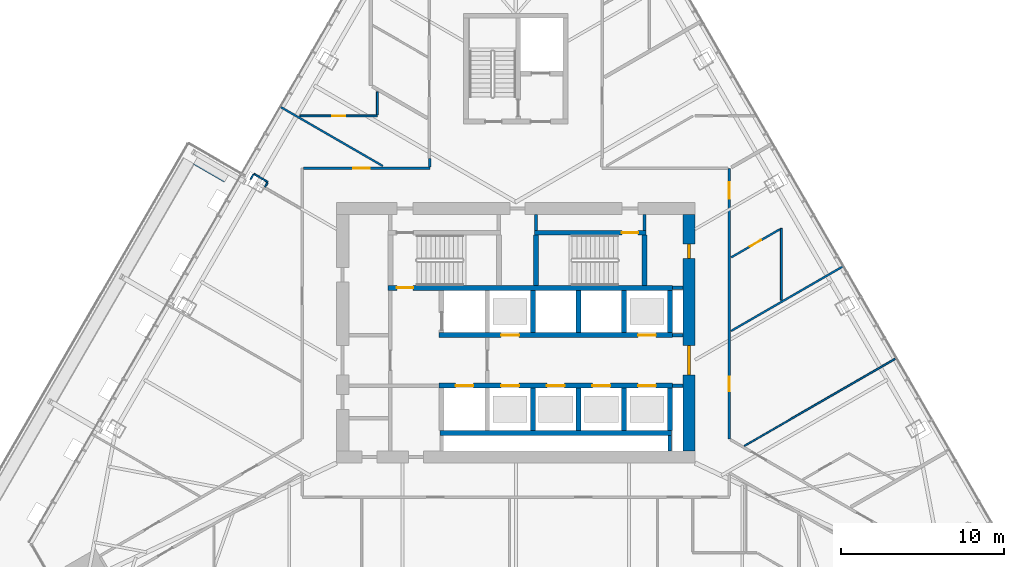
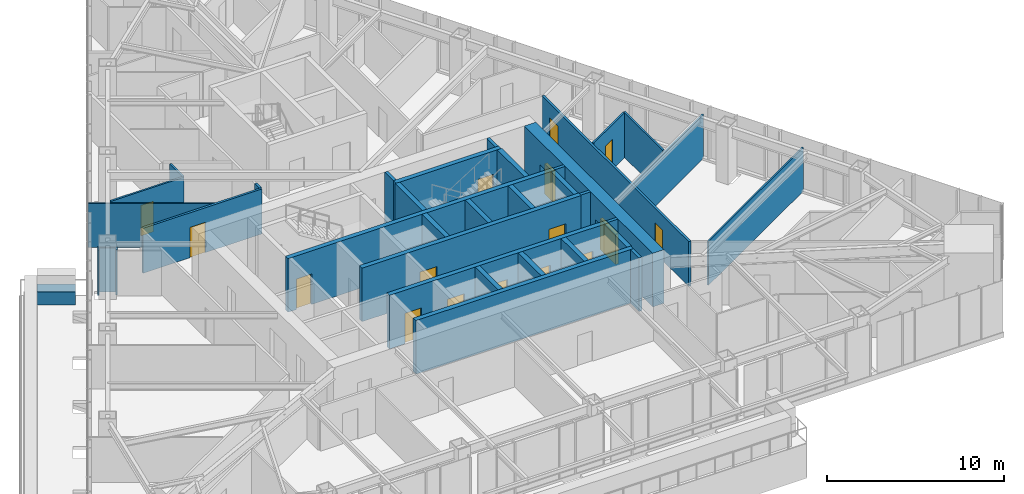
# One storey, part 17 of 23: 36 walls, 16 doors, 16 openings.
"""IFC4 building model written with IfcOpenShell, lengths in metres."""

from ifc_helpers import new_model, si_unit, direction, frame, frame_2d, origin, place, context, subcontext, project, spatial, rectangle, extrude, material, layer, layer_set, type_object, element, fill, save


model = new_model("IFC4")

# Units and contexts
model_context = context("Model", 3, precision=1e-05, world=origin(), true_north=direction((0.0, 1.0)))
body_context = subcontext(model_context, "Body", "Model", "MODEL_VIEW")
ifc_project = project(units=[si_unit("LENGTHUNIT", "METRE"), si_unit("AREAUNIT", "SQUARE_METRE"), si_unit("VOLUMEUNIT", "CUBIC_METRE"), si_unit("PLANEANGLEUNIT", "RADIAN"), si_unit("MASSUNIT", "GRAM", prefix="KILO")], contexts=[model_context])

# Site, building, storey
site_placement = place(None, origin())
site = spatial("IfcSite", under=ifc_project, at=site_placement, CompositionType="ELEMENT")
building_placement = place(site_placement, origin())
building = spatial("IfcBuilding", under=site, at=building_placement, Name="Firuza Gate Tower and Library", CompositionType="ELEMENT")
storey_placement = place(building_placement, frame((0.0, 0.0, 190.89990234375)))
storey = spatial("IfcBuildingStorey", under=building, at=storey_placement, Name="L44", CompositionType="ELEMENT", Elevation=190.89990234375)

# Walls
ifc_material_1 = material(Name="Plasterboard on steel studs", Category="steel")
ifc_layer_1 = layer(ifc_material_1, 0.199951171875)
ifc_layer_set_1 = layer_set([ifc_layer_1], Name="Core partition 200 EI 120")
wall_type_1 = type_object("IfcWallType", Name="Core partition 200 EI 120", PredefinedType="PARTITIONING", material=ifc_layer_set_1)
for number, where, z_axis, x_axis, name in (
    (1, (84.60009765625, 71.75, 0.0), (0.0, 0.0, 1.0), (1.0, 0.0, 0.0), "Core partition L44 3"),
    (2, (84.60009765625, 74.85009765625, 0.0), (0.0, 0.0, 1.0), (1.0, 0.0, 0.0), "Core partition L44 5"),
    (3, (84.60009765625, 77.75, 0.0), (0.0, 0.0, 1.0), (1.0, 0.0, 0.0), "Core partition L44 6"),
):
    element("IfcWall", number, at=place(storey_placement, frame(where, z_axis=z_axis, x_axis=x_axis)), inside=storey, type_object=wall_type_1, Name=name, PredefinedType="PARTITIONING", context=body_context, shape_type="SweptSolid", body=[
        extrude(rectangle(XDim=0.64990234375, YDim=0.199951171875, at=frame_2d((0.324951171875, 0.0))), origin(), (0.0, 0.0, 1.0), 3.7001953125),
    ])
wall_1_placement = place(storey_placement, frame((84.449951171875, 67.75, 0.0), z_axis=(0.0, 0.0, 1.0), x_axis=(0.0, 1.0, 0.0)))
element("IfcWall", 4, at=wall_1_placement, inside=storey, type_object=wall_type_1, Name="Core partition L44 15", PredefinedType="PARTITIONING", context=body_context, shape_type="SweptSolid", body=[
    extrude(rectangle(XDim=0.949951171875, YDim=0.199951171875, at=frame_2d((0.47509765625, 0.0))), origin(), (0.0, 0.0, 1.0), 3.7001953125),
])
ifc_material_2 = material(Name="Plasterboard on steel studs", Category="steel")
ifc_layer_2 = layer(ifc_material_2, 0.199951171875)
ifc_layer_set_2 = layer_set([ifc_layer_2], Name="Core partition 200 EI 60")
wall_type_2 = type_object("IfcWallType", Name="Core partition 200 EI 60", PredefinedType="PARTITIONING", material=ifc_layer_set_2)
for number, where, z_axis, x_axis, name in (
    (5, (76.239990234375, 81.280029296875, 0.0), (0.0, 0.0, 1.0), (0.0, 1.0, 0.0), "Core partition L44 13"),
    (6, (82.89990234375, 81.280029296875, 0.0), (0.0, 0.0, 1.0), (0.0, 1.0, 0.0), "Core partition L44 14"),
):
    element("IfcWall", number, at=place(storey_placement, frame(where, z_axis=z_axis, x_axis=x_axis)), inside=storey, type_object=wall_type_2, Name=name, PredefinedType="PARTITIONING", context=body_context, shape_type="SweptSolid", body=[
        extrude(rectangle(XDim=0.969970703125, YDim=0.199951171875, at=frame_2d((0.48486328125, 0.0))), origin(), (0.0, 0.0, 1.0), 3.7001953125),
    ])
ifc_material_3 = material(Name="Concrete C80/95", Category="concrete")
ifc_layer_3 = layer(ifc_material_3, 0.300048828125)
ifc_layer_set_3 = layer_set([ifc_layer_3], Name="Core wall 300 C80/95")
wall_type_3 = type_object("IfcWallType", Name="Core wall 300 C80/95", PredefinedType="SHEAR", material=ifc_layer_set_3)
wall_2_placement = place(storey_placement, frame((70.35009765625, 68.85009765625, 0.0), z_axis=(0.0, 0.0, 1.0), x_axis=(1.0, 0.0, 0.0)))
element("IfcWall", 7, at=wall_2_placement, inside=storey, type_object=wall_type_3, Name="Core wall L44 5", PredefinedType="SHEAR", context=body_context, shape_type="SweptSolid", body=[
    extrude(rectangle(XDim=14.199951171875, YDim=0.300048828125, at=frame_2d((7.10009765625, 0.0))), origin(), (0.0, 0.0, 1.0), 3.7001953125),
])

# Wall, openings, doors
wall_3_placement = place(storey_placement, frame((70.300048828125, 71.75, 0.0), z_axis=(0.0, 0.0, 1.0), x_axis=(1.0, 0.0, 0.0)))
wall_3 = element("IfcWall", 8, at=wall_3_placement, inside=storey, type_object=wall_type_3, Name="Core wall L44 6", PredefinedType="SHEAR", context=body_context, shape_type="SweptSolid", body=[
    extrude(rectangle(XDim=14.300048828125, YDim=0.300048828125, at=frame_2d((7.14990234375, 0.0))), origin(), (0.0, 0.0, 1.0), 3.7001953125),
])
opening_1_placement = place(wall_3_placement, frame((1.0, 0.0, 0.0)))
opening_1 = element("IfcOpeningElement", 9, at=opening_1_placement, cuts=wall_3, Name="Opening LD-FF1-L44", PredefinedType="OPENING", context=body_context, shape_type="SweptSolid", body=[
    extrude(rectangle(XDim=1.10009765625, YDim=2.10009765625, at=frame_2d((0.550048828125, 1.050048828125))), frame((0.0, 0.16015625, 0.0), z_axis=(0.0, -1.0, 0.0), x_axis=(1.0, 0.0, 0.0)), (0.0, 0.0, 1.0), 0.320068359375),
])
opening_2_placement = place(wall_3_placement, frame((3.800048828125, 0.0, 0.0)))
opening_2 = element("IfcOpeningElement", 10, at=opening_2_placement, cuts=wall_3, Name="Opening LD-MR1-L44", PredefinedType="OPENING", context=body_context, shape_type="SweptSolid", body=[
    extrude(rectangle(XDim=1.10009765625, YDim=2.10009765625, at=frame_2d((0.550048828125, 1.050048828125))), frame((0.0, 0.16015625, 0.0), z_axis=(0.0, -1.0, 0.0), x_axis=(1.0, 0.0, 0.0)), (0.0, 0.0, 1.0), 0.320068359375),
])
opening_3_placement = place(wall_3_placement, frame((6.60009765625, 0.0, 0.0)))
opening_3 = element("IfcOpeningElement", 11, at=opening_3_placement, cuts=wall_3, Name="Opening LD-MR2-L44", PredefinedType="OPENING", context=body_context, shape_type="SweptSolid", body=[
    extrude(rectangle(XDim=1.10009765625, YDim=2.10009765625, at=frame_2d((0.550048828125, 1.050048828125))), frame((0.0, 0.16015625, 0.0), z_axis=(0.0, -1.0, 0.0), x_axis=(1.0, 0.0, 0.0)), (0.0, 0.0, 1.0), 0.320068359375),
])
opening_4_placement = place(wall_3_placement, frame((9.39990234375, 0.0, 0.0)))
opening_4 = element("IfcOpeningElement", 12, at=opening_4_placement, cuts=wall_3, Name="Opening LD-MR3-L44", PredefinedType="OPENING", context=body_context, shape_type="SweptSolid", body=[
    extrude(rectangle(XDim=1.10009765625, YDim=2.10009765625, at=frame_2d((0.550048828125, 1.050048828125))), frame((0.0, 0.16015625, 0.0), z_axis=(0.0, -1.0, 0.0), x_axis=(1.0, 0.0, 0.0)), (0.0, 0.0, 1.0), 0.320068359375),
])
opening_5_placement = place(wall_3_placement, frame((12.199951171875, 0.0, 0.0)))
opening_5 = element("IfcOpeningElement", 13, at=opening_5_placement, cuts=wall_3, Name="Opening LD-MR5-L44", PredefinedType="OPENING", context=body_context, shape_type="SweptSolid", body=[
    extrude(rectangle(XDim=1.10009765625, YDim=2.10009765625, at=frame_2d((0.550048828125, 1.050048828125))), frame((0.0, 0.16015625, 0.0), z_axis=(0.0, -1.0, 0.0), x_axis=(1.0, 0.0, 0.0)), (0.0, 0.0, 1.0), 0.320068359375),
])
ifc_material_4 = material(Name="Stainless steel", Category="steel")
door_type_1 = type_object("IfcDoorType", Name="Lift landing door 1100x2100", OperationType="DOUBLE_DOOR_SLIDING", PredefinedType="DOOR", material=ifc_material_4)
door_1_placement = place(opening_1_placement, origin())
door_1 = element("IfcDoor", 14, at=door_1_placement, inside=storey, type_object=door_type_1, Name="Landing door FF1 L44", OperationType="DOUBLE_DOOR_SLIDING", OverallHeight=2.10009765625, OverallWidth=1.10009765625, PredefinedType="DOOR", context=body_context, shape_type="SweptSolid", body=[
    extrude(rectangle(XDim=1.10009765625, YDim=2.10009765625, at=frame_2d((0.550048828125, 1.050048828125))), frame((0.0, 0.02490234375, 0.0), z_axis=(0.0, -1.0, 0.0), x_axis=(1.0, 0.0, 0.0)), (0.0, 0.0, 1.0), 0.050048828125),
])
fill(opening_1, door_1)
door_2_placement = place(opening_2_placement, origin())
door_2 = element("IfcDoor", 15, at=door_2_placement, inside=storey, type_object=door_type_1, Name="Landing door MR1 L44", OperationType="DOUBLE_DOOR_SLIDING", OverallHeight=2.10009765625, OverallWidth=1.10009765625, PredefinedType="DOOR", context=body_context, shape_type="SweptSolid", body=[
    extrude(rectangle(XDim=1.10009765625, YDim=2.10009765625, at=frame_2d((0.550048828125, 1.050048828125))), frame((0.0, 0.02490234375, 0.0), z_axis=(0.0, -1.0, 0.0), x_axis=(1.0, 0.0, 0.0)), (0.0, 0.0, 1.0), 0.050048828125),
])
fill(opening_2, door_2)
door_3_placement = place(opening_3_placement, origin())
door_3 = element("IfcDoor", 16, at=door_3_placement, inside=storey, type_object=door_type_1, Name="Landing door MR2 L44", OperationType="DOUBLE_DOOR_SLIDING", OverallHeight=2.10009765625, OverallWidth=1.10009765625, PredefinedType="DOOR", context=body_context, shape_type="SweptSolid", body=[
    extrude(rectangle(XDim=1.10009765625, YDim=2.10009765625, at=frame_2d((0.550048828125, 1.050048828125))), frame((0.0, 0.02490234375, 0.0), z_axis=(0.0, -1.0, 0.0), x_axis=(1.0, 0.0, 0.0)), (0.0, 0.0, 1.0), 0.050048828125),
])
fill(opening_3, door_3)
door_4_placement = place(opening_4_placement, origin())
door_4 = element("IfcDoor", 17, at=door_4_placement, inside=storey, type_object=door_type_1, Name="Landing door MR3 L44", OperationType="DOUBLE_DOOR_SLIDING", OverallHeight=2.10009765625, OverallWidth=1.10009765625, PredefinedType="DOOR", context=body_context, shape_type="SweptSolid", body=[
    extrude(rectangle(XDim=1.10009765625, YDim=2.10009765625, at=frame_2d((0.550048828125, 1.050048828125))), frame((0.0, 0.02490234375, 0.0), z_axis=(0.0, -1.0, 0.0), x_axis=(1.0, 0.0, 0.0)), (0.0, 0.0, 1.0), 0.050048828125),
])
fill(opening_4, door_4)
door_5_placement = place(opening_5_placement, origin())
door_5 = element("IfcDoor", 18, at=door_5_placement, inside=storey, type_object=door_type_1, Name="Landing door MR5 L44", OperationType="DOUBLE_DOOR_SLIDING", OverallHeight=2.10009765625, OverallWidth=1.10009765625, PredefinedType="DOOR", context=body_context, shape_type="SweptSolid", body=[
    extrude(rectangle(XDim=1.10009765625, YDim=2.10009765625, at=frame_2d((0.550048828125, 1.050048828125))), frame((0.0, 0.02490234375, 0.0), z_axis=(0.0, -1.0, 0.0), x_axis=(1.0, 0.0, 0.0)), (0.0, 0.0, 1.0), 0.050048828125),
])
fill(opening_5, door_5)

wall_4_placement = place(storey_placement, frame((70.300048828125, 74.85009765625, 0.0), z_axis=(0.0, 0.0, 1.0), x_axis=(1.0, 0.0, 0.0)))
wall_4 = element("IfcWall", 19, at=wall_4_placement, inside=storey, type_object=wall_type_3, Name="Core wall L44 7", PredefinedType="SHEAR", context=body_context, shape_type="SweptSolid", body=[
    extrude(rectangle(XDim=14.300048828125, YDim=0.300048828125, at=frame_2d((7.14990234375, 0.0))), origin(), (0.0, 0.0, 1.0), 3.7001953125),
])
opening_6_placement = place(wall_4_placement, frame((3.800048828125, 0.0, 0.0)))
opening_6 = element("IfcOpeningElement", 20, at=opening_6_placement, cuts=wall_4, Name="Opening LD-MR4-L44", PredefinedType="OPENING", context=body_context, shape_type="SweptSolid", body=[
    extrude(rectangle(XDim=1.10009765625, YDim=2.10009765625, at=frame_2d((0.550048828125, 1.050048828125))), frame((0.0, 0.16015625, 0.0), z_axis=(0.0, -1.0, 0.0), x_axis=(1.0, 0.0, 0.0)), (0.0, 0.0, 1.0), 0.320068359375),
])
opening_7_placement = place(wall_4_placement, frame((12.199951171875, 0.0, 0.0)))
opening_7 = element("IfcOpeningElement", 21, at=opening_7_placement, cuts=wall_4, Name="Opening LD-MR6-L44", PredefinedType="OPENING", context=body_context, shape_type="SweptSolid", body=[
    extrude(rectangle(XDim=1.10009765625, YDim=2.10009765625, at=frame_2d((0.550048828125, 1.050048828125))), frame((0.0, 0.16015625, 0.0), z_axis=(0.0, -1.0, 0.0), x_axis=(1.0, 0.0, 0.0)), (0.0, 0.0, 1.0), 0.320068359375),
])
door_6_placement = place(opening_6_placement, origin())
door_6 = element("IfcDoor", 22, at=door_6_placement, inside=storey, type_object=door_type_1, Name="Landing door MR4 L44", OperationType="DOUBLE_DOOR_SLIDING", OverallHeight=2.10009765625, OverallWidth=1.10009765625, PredefinedType="DOOR", context=body_context, shape_type="SweptSolid", body=[
    extrude(rectangle(XDim=1.10009765625, YDim=2.10009765625, at=frame_2d((0.550048828125, 1.050048828125))), frame((0.0, 0.02490234375, 0.0), z_axis=(0.0, -1.0, 0.0), x_axis=(1.0, 0.0, 0.0)), (0.0, 0.0, 1.0), 0.050048828125),
])
fill(opening_6, door_6)
door_7_placement = place(opening_7_placement, origin())
door_7 = element("IfcDoor", 23, at=door_7_placement, inside=storey, type_object=door_type_1, Name="Landing door MR6 L44", OperationType="DOUBLE_DOOR_SLIDING", OverallHeight=2.10009765625, OverallWidth=1.10009765625, PredefinedType="DOOR", context=body_context, shape_type="SweptSolid", body=[
    extrude(rectangle(XDim=1.10009765625, YDim=2.10009765625, at=frame_2d((0.550048828125, 1.050048828125))), frame((0.0, 0.02490234375, 0.0), z_axis=(0.0, -1.0, 0.0), x_axis=(1.0, 0.0, 0.0)), (0.0, 0.0, 1.0), 0.050048828125),
])
fill(opening_7, door_7)

# Walls
for number, where, z_axis, x_axis, name in (
    (24, (76.050048828125, 69.0, 0.0), (0.0, 0.0, 1.0), (0.0, 1.0, 0.0), "Core wall L44 12"),
    (25, (76.050048828125, 75.0, 0.0), (0.0, 0.0, 1.0), (0.0, 1.0, 0.0), "Core wall L44 13"),
    (26, (78.85009765625, 69.0, 0.0), (0.0, 0.0, 1.0), (0.0, 1.0, 0.0), "Core wall L44 14"),
    (27, (78.85009765625, 75.0, 0.0), (0.0, 0.0, 1.0), (0.0, 1.0, 0.0), "Core wall L44 15"),
    (28, (81.64990234375, 69.0, 0.0), (0.0, 0.0, 1.0), (0.0, 1.0, 0.0), "Core wall L44 16"),
    (29, (81.64990234375, 75.0, 0.0), (0.0, 0.0, 1.0), (0.0, 1.0, 0.0), "Core wall L44 17"),
    (30, (84.449951171875, 69.0, 0.0), (0.0, 0.0, 1.0), (0.0, 1.0, 0.0), "Core wall L44 18"),
    (31, (84.449951171875, 75.0, 0.0), (0.0, 0.0, 1.0), (0.0, 1.0, 0.0), "Core wall L44 19"),
):
    element("IfcWall", number, at=place(storey_placement, frame(where, z_axis=z_axis, x_axis=x_axis)), inside=storey, type_object=wall_type_3, Name=name, PredefinedType="SHEAR", context=body_context, shape_type="SweptSolid", body=[
        extrude(rectangle(XDim=2.60009765625, YDim=0.300048828125, at=frame_2d((1.300048828125, 0.0))), origin(), (0.0, 0.0, 1.0), 3.7001953125),
    ])

# Wall, opening, door
wall_5_placement = place(storey_placement, frame((67.14990234375, 77.75, 0.0), z_axis=(0.0, 0.0, 1.0), x_axis=(1.0, 0.0, 0.0)))
wall_5 = element("IfcWall", 32, at=wall_5_placement, inside=storey, type_object=wall_type_3, Name="Core wall L44 20", PredefinedType="SHEAR", context=body_context, shape_type="SweptSolid", body=[
    extrude(rectangle(XDim=17.4501953125, YDim=0.300048828125, at=frame_2d((8.72509765625, 0.0))), origin(), (0.0, 0.0, 1.0), 3.7001953125),
])
opening_8_placement = place(wall_5_placement, frame((0.544921875, 0.0, 0.0)))
opening_8 = element("IfcOpeningElement", 33, at=opening_8_placement, cuts=wall_5, Name="Opening L44-K10", PredefinedType="OPENING", context=body_context, shape_type="SweptSolid", body=[
    extrude(rectangle(XDim=1.0, YDim=2.10009765625, at=frame_2d((0.5, 1.050048828125))), frame((0.0, 0.16015625, 0.0), z_axis=(0.0, -1.0, 0.0), x_axis=(1.0, 0.0, 0.0)), (0.0, 0.0, 1.0), 0.320068359375),
])
ifc_material_5 = material(Name="Steel", Category="steel")
door_type_2 = type_object("IfcDoorType", Name="Fire door 1000x2100 FD90", OperationType="NOTDEFINED", PredefinedType="DOOR", material=ifc_material_5)
door_8_placement = place(opening_8_placement, origin())
door_8 = element("IfcDoor", 34, at=door_8_placement, inside=storey, type_object=door_type_2, Name="Door L44-K10", OperationType="SINGLE_SWING_LEFT", OverallHeight=2.10009765625, OverallWidth=1.0, PredefinedType="DOOR", context=body_context, shape_type="SweptSolid", body=[
    extrude(rectangle(XDim=1.0, YDim=2.10009765625, at=frame_2d((0.5, 1.050048828125))), frame((0.0, 0.02490234375, 0.0), z_axis=(0.0, -1.0, 0.0), x_axis=(1.0, 0.0, 0.0)), (0.0, 0.0, 1.0), 0.050048828125),
])
fill(opening_8, door_8)

wall_6_placement = place(storey_placement, frame((76.139892578125, 81.1298828125, 0.0), z_axis=(0.0, 0.0, 1.0), x_axis=(1.0, 0.0, 0.0)))
wall_6 = element("IfcWall", 35, at=wall_6_placement, inside=storey, type_object=wall_type_3, Name="Core wall L44 22", PredefinedType="SHEAR", context=body_context, shape_type="SweptSolid", body=[
    extrude(rectangle(XDim=6.860107421875, YDim=0.300048828125, at=frame_2d((3.43017578125, 0.0))), origin(), (0.0, 0.0, 1.0), 3.7001953125),
])
opening_9_placement = place(wall_6_placement, frame((5.364990234375, 0.0, 0.0)))
opening_9 = element("IfcOpeningElement", 36, at=opening_9_placement, cuts=wall_6, Name="Opening L44-K13", PredefinedType="OPENING", context=body_context, shape_type="SweptSolid", body=[
    extrude(rectangle(XDim=1.0, YDim=2.10009765625, at=frame_2d((0.5, 1.050048828125))), frame((0.0, 0.16015625, 0.0), z_axis=(0.0, -1.0, 0.0), x_axis=(1.0, 0.0, 0.0)), (0.0, 0.0, 1.0), 0.320068359375),
])
door_9_placement = place(opening_9_placement, origin())
door_9 = element("IfcDoor", 37, at=door_9_placement, inside=storey, type_object=door_type_2, Name="Door L44-K13", OperationType="SINGLE_SWING_RIGHT", OverallHeight=2.10009765625, OverallWidth=1.0, PredefinedType="DOOR", context=body_context, shape_type="SweptSolid", body=[
    extrude(rectangle(XDim=1.0, YDim=2.10009765625, at=frame_2d((0.5, 1.050048828125))), frame((0.0, 0.02490234375, 0.0), z_axis=(0.0, -1.0, 0.0), x_axis=(1.0, 0.0, 0.0)), (0.0, 0.0, 1.0), 0.050048828125),
])
fill(opening_9, door_9)

# Walls
for number, where, z_axis, x_axis, name in (
    (38, (76.239990234375, 77.89990234375, 0.0), (0.0, 0.0, 1.0), (0.0, 1.0, 0.0), "Core wall L44 25"),
    (39, (82.89990234375, 77.89990234375, 0.0), (0.0, 0.0, 1.0), (0.0, 1.0, 0.0), "Core wall L44 26"),
):
    element("IfcWall", number, at=place(storey_placement, frame(where, z_axis=z_axis, x_axis=x_axis)), inside=storey, type_object=wall_type_3, Name=name, PredefinedType="SHEAR", context=body_context, shape_type="SweptSolid", body=[
        extrude(rectangle(XDim=3.080078125, YDim=0.300048828125, at=frame_2d((1.5400390625, 0.0))), origin(), (0.0, 0.0, 1.0), 3.7001953125),
    ])

# Wall, openings, doors
ifc_material_6 = material(Name="Concrete C80/95", Category="concrete")
ifc_layer_4 = layer(ifc_material_6, 0.75)
ifc_layer_set_4 = layer_set([ifc_layer_4], Name="Core wall 750 C80/95")
wall_type_4 = type_object("IfcWallType", Name="Core wall 750 C80/95", PredefinedType="SHEAR", material=ifc_layer_set_4)
wall_7_placement = place(storey_placement, frame((85.625, 67.75, 0.0), z_axis=(0.0, 0.0, 1.0), x_axis=(0.0, 1.0, 0.0)))
wall_7 = element("IfcWall", 40, at=wall_7_placement, inside=storey, type_object=wall_type_4, Name="Core wall L44 4", PredefinedType="SHEAR", context=body_context, shape_type="SweptSolid", body=[
    extrude(rectangle(XDim=14.5, YDim=0.75, at=frame_2d((7.25, 0.0))), origin(), (0.0, 0.0, 1.0), 3.7001953125),
])
opening_10_placement = place(wall_7_placement, frame((4.64990234375, 0.0, 0.0)))
opening_10 = element("IfcOpeningElement", 41, at=opening_10_placement, cuts=wall_7, Name="Opening L44-K21", PredefinedType="OPENING", context=body_context, shape_type="SweptSolid", body=[
    extrude(rectangle(XDim=1.800048828125, YDim=2.10009765625, at=frame_2d((0.89990234375, 1.050048828125))), frame((0.0, 0.385009765625, 0.0), z_axis=(0.0, -1.0, 0.0), x_axis=(1.0, 0.0, 0.0)), (0.0, 0.0, 1.0), 0.77001953125),
])
opening_11_placement = place(wall_7_placement, frame((11.800048828125, 0.0, 0.0)))
opening_11 = element("IfcOpeningElement", 42, at=opening_11_placement, cuts=wall_7, Name="Opening L44-K27", PredefinedType="OPENING", context=body_context, shape_type="SweptSolid", body=[
    extrude(rectangle(XDim=0.89990234375, YDim=2.10009765625, at=frame_2d((0.449951171875, 1.050048828125))), frame((0.0, 0.385009765625, 0.0), z_axis=(0.0, -1.0, 0.0), x_axis=(1.0, 0.0, 0.0)), (0.0, 0.0, 1.0), 0.77001953125),
])
ifc_material_7 = material(Name="Steel", Category="steel")
door_type_3 = type_object("IfcDoorType", Name="Fire door 1800x2100 FD30S", OperationType="NOTDEFINED", PredefinedType="DOOR", material=ifc_material_7)
door_10_placement = place(opening_10_placement, origin())
door_10 = element("IfcDoor", 43, at=door_10_placement, inside=storey, type_object=door_type_3, Name="Door L44-K21", OperationType="SINGLE_SWING_RIGHT", OverallHeight=2.10009765625, OverallWidth=1.800048828125, PredefinedType="DOOR", context=body_context, shape_type="SweptSolid", body=[
    extrude(rectangle(XDim=1.800048828125, YDim=2.10009765625, at=frame_2d((0.89990234375, 1.050048828125))), frame((0.0, 0.094970703125, 0.0), z_axis=(0.0, -1.0, 0.0), x_axis=(1.0, 0.0, 0.0)), (0.0, 0.0, 1.0), 0.18994140625),
])
fill(opening_10, door_10)
ifc_material_8 = material(Name="Steel", Category="steel")
door_type_4 = type_object("IfcDoorType", Name="Fire door 900x2100 FD30S", OperationType="NOTDEFINED", PredefinedType="DOOR", material=ifc_material_8)
door_11_placement = place(opening_11_placement, origin())
door_11 = element("IfcDoor", 44, at=door_11_placement, inside=storey, type_object=door_type_4, Name="Door L44-K27", OperationType="SINGLE_SWING_RIGHT", OverallHeight=2.10009765625, OverallWidth=0.89990234375, PredefinedType="DOOR", context=body_context, shape_type="SweptSolid", body=[
    extrude(rectangle(XDim=0.89990234375, YDim=2.10009765625, at=frame_2d((0.449951171875, 1.050048828125))), frame((0.0, 0.094970703125, 0.0), z_axis=(0.0, -1.0, 0.0), x_axis=(1.0, 0.0, 0.0)), (0.0, 0.0, 1.0), 0.18994140625),
])
fill(opening_11, door_11)

# Wall, opening, door
ifc_material_9 = material(Name="Gypsum board partition")
ifc_layer_5 = layer(ifc_material_9, 0.14990234375)
ifc_layer_set_5 = layer_set([ifc_layer_5], Name="Corridor wall 150 double board on steel studs")
wall_type_5 = type_object("IfcWallType", Name="Corridor wall 150 double board on steel studs", PredefinedType="PARTITIONING", material=ifc_layer_set_5)
wall_8_placement = place(storey_placement, frame((61.9755859375, 85.10009765625, 0.0), z_axis=(0.0, 0.0, 1.0), x_axis=(1.0, 0.0, 0.0)))
wall_8 = element("IfcWall", 45, at=wall_8_placement, inside=storey, type_object=wall_type_5, Name="f:L44:w005", PredefinedType="PARTITIONING", context=body_context, shape_type="SweptSolid", body=[
    extrude(rectangle(XDim=7.743896484375, YDim=0.14990234375, at=frame_2d((3.8720703125, 0.0))), origin(), (0.0, 0.0, 1.0), 3.10009765625),
])
opening_12_placement = place(wall_8_placement, frame((3.054931640625, 0.0, 0.0)))
opening_12 = element("IfcOpeningElement", 46, at=opening_12_placement, cuts=wall_8, Name="Opening L44-06", PredefinedType="OPENING", context=body_context, shape_type="SweptSolid", body=[
    extrude(rectangle(XDim=1.0, YDim=2.10009765625, at=frame_2d((0.5, 1.050048828125))), frame((0.0, 0.0849609375, 0.0), z_axis=(0.0, -1.0, 0.0), x_axis=(1.0, 0.0, 0.0)), (0.0, 0.0, 1.0), 0.169921875),
])
ifc_material_10 = material(Name="Steel door and timber leaf", Category="steel")
door_type_5 = type_object("IfcDoorType", Name="Fire door 1000 x 2100 steel frame, timber leaf", OperationType="NOTDEFINED", PredefinedType="DOOR", material=ifc_material_10)
door_12_placement = place(opening_12_placement, origin())
door_12 = element("IfcDoor", 47, at=door_12_placement, inside=storey, type_object=door_type_5, Name="f:L44:d006", OperationType="SINGLE_SWING_LEFT", OverallHeight=2.10009765625, OverallWidth=1.0, PredefinedType="DOOR", context=body_context, shape_type="SweptSolid", body=[
    extrude(rectangle(XDim=1.0, YDim=2.10009765625, at=frame_2d((0.5, 1.050048828125))), frame((0.0, 0.02490234375, 0.0), z_axis=(0.0, -1.0, 0.0), x_axis=(1.0, 0.0, 0.0)), (0.0, 0.0, 1.0), 0.050048828125),
])
fill(opening_12, door_12)

# Wall, openings, doors
wall_9_placement = place(storey_placement, frame((88.10009765625, 85.070556640625, 0.0), z_axis=(0.0, 0.0, 1.0), x_axis=(0.0, -1.0, 0.0)))
wall_9 = element("IfcWall", 48, at=wall_9_placement, inside=storey, type_object=wall_type_5, Name="f:L44:w037", PredefinedType="PARTITIONING", context=body_context, shape_type="SweptSolid", body=[
    extrude(rectangle(XDim=16.594482421875, YDim=0.14990234375, at=frame_2d((8.29736328125, 0.0))), origin(), (0.0, 0.0, 1.0), 3.10009765625),
])
opening_13_placement = place(wall_9_placement, frame((0.847900390625, 0.0, 0.0)))
opening_13 = element("IfcOpeningElement", 49, at=opening_13_placement, cuts=wall_9, Name="Opening L44-21", PredefinedType="OPENING", context=body_context, shape_type="SweptSolid", body=[
    extrude(rectangle(XDim=1.0, YDim=2.10009765625, at=frame_2d((0.5, 1.050048828125))), frame((0.0, 0.0849609375, 0.0), z_axis=(0.0, -1.0, 0.0), x_axis=(1.0, 0.0, 0.0)), (0.0, 0.0, 1.0), 0.169921875),
])
opening_14_placement = place(wall_9_placement, frame((12.76025390625, 0.0, 0.0)))
opening_14 = element("IfcOpeningElement", 50, at=opening_14_placement, cuts=wall_9, Name="Opening L44-22", PredefinedType="OPENING", context=body_context, shape_type="SweptSolid", body=[
    extrude(rectangle(XDim=0.89990234375, YDim=2.10009765625, at=frame_2d((0.449951171875, 1.050048828125))), frame((0.0, 0.0849609375, 0.0), z_axis=(0.0, -1.0, 0.0), x_axis=(1.0, 0.0, 0.0)), (0.0, 0.0, 1.0), 0.169921875),
])
door_13_placement = place(opening_13_placement, origin())
door_13 = element("IfcDoor", 51, at=door_13_placement, inside=storey, type_object=door_type_5, Name="f:L44:d021", OperationType="SINGLE_SWING_RIGHT", OverallHeight=2.10009765625, OverallWidth=1.0, PredefinedType="DOOR", context=body_context, shape_type="SweptSolid", body=[
    extrude(rectangle(XDim=1.0, YDim=2.10009765625, at=frame_2d((0.5, 1.050048828125))), frame((0.0, 0.02490234375, 0.0), z_axis=(0.0, -1.0, 0.0), x_axis=(1.0, 0.0, 0.0)), (0.0, 0.0, 1.0), 0.050048828125),
])
fill(opening_13, door_13)
ifc_material_11 = material(Name="Steel door and timber leaf", Category="steel")
door_type_6 = type_object("IfcDoorType", Name="Fire door 900 x 2100 steel frame, timber leaf", OperationType="NOTDEFINED", PredefinedType="DOOR", material=ifc_material_11)
door_14_placement = place(opening_14_placement, origin())
door_14 = element("IfcDoor", 52, at=door_14_placement, inside=storey, type_object=door_type_6, Name="f:L44:d022", OperationType="SINGLE_SWING_LEFT", OverallHeight=2.10009765625, OverallWidth=0.89990234375, PredefinedType="DOOR", context=body_context, shape_type="SweptSolid", body=[
    extrude(rectangle(XDim=0.89990234375, YDim=2.10009765625, at=frame_2d((0.449951171875, 1.050048828125))), frame((0.0, 0.02490234375, 0.0), z_axis=(0.0, -1.0, 0.0), x_axis=(1.0, 0.0, 0.0)), (0.0, 0.0, 1.0), 0.050048828125),
])
fill(opening_14, door_14)

# Walls
wall_10_placement = place(storey_placement, frame((69.718994140625, 85.175048828125, 0.0), z_axis=(0.0, 0.0, 1.0), x_axis=(0.0, 1.0, 0.0)))
element("IfcWall", 53, at=wall_10_placement, inside=storey, type_object=wall_type_5, Name="f:L44:w051", PredefinedType="PARTITIONING", context=body_context, shape_type="SweptSolid", body=[
    extrude(rectangle(XDim=0.52490234375, YDim=0.14990234375, at=frame_2d((0.262451171875, 0.0))), origin(), (0.0, 0.0, 1.0), 3.10009765625),
])
ifc_material_12 = material(Name="Gypsum board partition")
ifc_layer_6 = layer(ifc_material_12, 0.10009765625)
ifc_layer_set_6 = layer_set([ifc_layer_6], Name="Partition 100 gypsum board on steel studs")
wall_type_6 = type_object("IfcWallType", Name="Partition 100 gypsum board on steel studs", PredefinedType="PARTITIONING", material=ifc_layer_set_6)
wall_11_placement = place(storey_placement, frame((89.02978515625, 68.0556640625, 0.0), z_axis=(0.0, 0.0, 1.0), x_axis=(0.866027863881, 0.499995738963, 0.0)))
element("IfcWall", 54, at=wall_11_placement, inside=storey, type_object=wall_type_6, Name="f:L44:w016", PredefinedType="PARTITIONING", context=body_context, shape_type="SweptSolid", body=[
    extrude(rectangle(XDim=10.72314453125, YDim=0.10009765625, at=frame_2d((5.361572265625, 0.0))), origin(), (0.0, 0.0, 1.0), 3.022216796875),
])
wall_12_placement = place(storey_placement, frame((59.609130859375, 83.944091796875, 0.0), z_axis=(0.0, 0.0, 1.0), x_axis=(0.500264001326, 0.865872928886, 0.0)))
element("IfcWall", 55, at=wall_12_placement, inside=storey, type_object=wall_type_6, Name="f:L44:w029", PredefinedType="PARTITIONING", context=body_context, shape_type="SweptSolid", body=[
    extrude(rectangle(XDim=0.299072265625, YDim=0.10009765625, at=frame_2d((0.1494140625, 0.0))), origin(), (0.0, 0.0, 1.0), 3.10009765625),
])
wall_13_placement = place(storey_placement, frame((58.71826171875, 84.40087890625, 0.0), z_axis=(0.0, 0.0, 1.0), x_axis=(0.499601298118, 0.866255472086, 0.0)))
element("IfcWall", 56, at=wall_13_placement, inside=storey, type_object=wall_type_6, Name="f:L44:w030", PredefinedType="PARTITIONING", context=body_context, shape_type="SweptSolid", body=[
    extrude(rectangle(XDim=0.348876953125, YDim=0.10009765625, at=frame_2d((0.17431640625, 0.0))), origin(), (0.0, 0.0, 1.0), 3.10009765625),
])
wall_14_placement = place(storey_placement, frame((59.783447265625, 84.247314453125, 0.0), z_axis=(0.0, 0.0, 1.0), x_axis=(-0.866039090965, 0.499976292358, 0.0)))
element("IfcWall", 57, at=wall_14_placement, inside=storey, type_object=wall_type_6, Name="f:L44:w072", PredefinedType="PARTITIONING", context=body_context, shape_type="SweptSolid", body=[
    extrude(rectangle(XDim=0.9990234375, YDim=0.10009765625, at=frame_2d((0.49951171875, 0.0))), origin(), (0.0, 0.0, 1.0), 3.022216796875),
])
ifc_material_13 = material(Name="Concrete C40/50", Category="concrete")
ifc_layer_7 = layer(ifc_material_13, 0.800048828125)
ifc_layer_set_7 = layer_set([ifc_layer_7], Name="Planter wall 800")
wall_type_7 = type_object("IfcWallType", Name="Planter wall 800", PredefinedType="SOLIDWALL", material=ifc_layer_set_7)
wall_15_placement = place(storey_placement, frame((57.31689453125, 84.57421875, 0.0), z_axis=(0.0, 0.0, 1.0), x_axis=(-0.866008176907, 0.50002983664, 0.0)))
element("IfcWall", 58, at=wall_15_placement, inside=storey, type_object=wall_type_7, Name="PLANTER L44 1", PredefinedType="SOLIDWALL", context=body_context, shape_type="SweptSolid", body=[
    extrude(rectangle(XDim=2.199951171875, YDim=0.800048828125, at=frame_2d((1.10009765625, 0.0))), origin(), (0.0, 0.0, 1.0), 0.900146484375),
])

# Wall, opening, door
ifc_material_14 = material(Name="Gypsum board partition")
ifc_layer_8 = layer(ifc_material_14, 0.1201171875)
ifc_layer_set_8 = layer_set([ifc_layer_8], Name="Wet-area partition 120 moisture-resistant board")
wall_type_8 = type_object("IfcWallType", Name="Wet-area partition 120 moisture-resistant board", PredefinedType="PARTITIONING", material=ifc_layer_set_8)
wall_16_placement = place(storey_placement, frame((66.49951171875, 88.300048828125, 0.0), z_axis=(0.0, 0.0, 1.0), x_axis=(-1.0, 0.0, 0.0)))
wall_16 = element("IfcWall", 59, at=wall_16_placement, inside=storey, type_object=wall_type_8, Name="f:L44:w007", PredefinedType="PARTITIONING", context=body_context, shape_type="SweptSolid", body=[
    extrude(rectangle(XDim=4.75146484375, YDim=0.1201171875, at=frame_2d((2.375732421875, 0.0))), origin(), (0.0, 0.0, 1.0), 3.09716796875),
])
opening_15_placement = place(wall_16_placement, frame((1.9755859375, 0.0, 0.0)))
opening_15 = element("IfcOpeningElement", 60, at=opening_15_placement, cuts=wall_16, Name="Opening L44-07", PredefinedType="OPENING", context=body_context, shape_type="SweptSolid", body=[
    extrude(rectangle(XDim=0.800048828125, YDim=2.10009765625, at=frame_2d((0.39990234375, 1.050048828125))), frame((0.0, 0.070068359375, 0.0), z_axis=(0.0, -1.0, 0.0), x_axis=(1.0, 0.0, 0.0)), (0.0, 0.0, 1.0), 0.14013671875),
])
ifc_material_15 = material(Name="Timber door", Category="wood")
door_type_7 = type_object("IfcDoorType", Name="Door 800 x 2100 timber leaf", OperationType="NOTDEFINED", PredefinedType="DOOR", material=ifc_material_15)
door_15_placement = place(opening_15_placement, origin())
door_15 = element("IfcDoor", 61, at=door_15_placement, inside=storey, type_object=door_type_7, Name="f:L44:d007", OperationType="SINGLE_SWING_LEFT", OverallHeight=2.10009765625, OverallWidth=0.800048828125, PredefinedType="DOOR", context=body_context, shape_type="SweptSolid", body=[
    extrude(rectangle(XDim=0.800048828125, YDim=2.10009765625, at=frame_2d((0.39990234375, 1.050048828125))), frame((0.0, 0.02490234375, 0.0), z_axis=(0.0, -1.0, 0.0), x_axis=(1.0, 0.0, 0.0)), (0.0, 0.0, 1.0), 0.050048828125),
])
fill(opening_15, door_15)

# Wall
wall_17_placement = place(storey_placement, frame((88.20947265625, 75.104736328125, 0.0), z_axis=(0.0, 0.0, 1.0), x_axis=(0.866019546548, 0.500010144894, 0.0)))
element("IfcWall", 62, at=wall_17_placement, inside=storey, type_object=wall_type_8, Name="f:L44:w017", PredefinedType="PARTITIONING", context=body_context, shape_type="SweptSolid", body=[
    extrude(rectangle(XDim=7.908935546875, YDim=0.1201171875, at=frame_2d((3.95458984375, 0.0))), origin(), (0.0, 0.0, 1.0), 3.022216796875),
])

# Wall, opening, door
wall_18_placement = place(storey_placement, frame((91.205322265625, 81.34716796875, 0.0), z_axis=(0.0, 0.0, 1.0), x_axis=(-0.866028087245, -0.499995352082, 0.0)))
wall_18 = element("IfcWall", 63, at=wall_18_placement, inside=storey, type_object=wall_type_8, Name="f:L44:w018", PredefinedType="PARTITIONING", context=body_context, shape_type="SweptSolid", body=[
    extrude(rectangle(XDim=3.458984375, YDim=0.1201171875, at=frame_2d((1.7294921875, 0.0))), origin(), (0.0, 0.0, 1.0), 3.10009765625),
])
opening_16_placement = place(wall_18_placement, frame((1.32958984375, 0.0, 0.0)))
opening_16 = element("IfcOpeningElement", 64, at=opening_16_placement, cuts=wall_18, Name="Opening L44-14", PredefinedType="OPENING", context=body_context, shape_type="SweptSolid", body=[
    extrude(rectangle(XDim=0.800048828125, YDim=2.10009765625, at=frame_2d((0.39990234375, 1.050048828125))), frame((0.0, 0.070068359375, 0.0), z_axis=(0.0, -1.0, 0.0), x_axis=(1.0, 0.0, 0.0)), (0.0, 0.0, 1.0), 0.14013671875),
])
door_16_placement = place(opening_16_placement, origin())
door_16 = element("IfcDoor", 65, at=door_16_placement, inside=storey, type_object=door_type_7, Name="f:L44:d014", OperationType="SINGLE_SWING_LEFT", OverallHeight=2.10009765625, OverallWidth=0.800048828125, PredefinedType="DOOR", context=body_context, shape_type="SweptSolid", body=[
    extrude(rectangle(XDim=0.800048828125, YDim=2.10009765625, at=frame_2d((0.39990234375, 1.050048828125))), frame((0.0, 0.02490234375, 0.0), z_axis=(0.0, -1.0, 0.0), x_axis=(1.0, 0.0, 0.0)), (0.0, 0.0, 1.0), 0.050048828125),
])
fill(opening_16, door_16)

# Walls
wall_19_placement = place(storey_placement, frame((91.300048828125, 76.998046875, 0.0), z_axis=(0.0, 0.0, 1.0), x_axis=(0.0, 1.0, 0.0)))
element("IfcWall", 66, at=wall_19_placement, inside=storey, type_object=wall_type_8, Name="f:L44:w034", PredefinedType="PARTITIONING", context=body_context, shape_type="SweptSolid", body=[
    extrude(rectangle(XDim=4.40380859375, YDim=0.1201171875, at=frame_2d((2.201904296875, 0.0))), origin(), (0.0, 0.0, 1.0), 3.10009765625),
])
wall_20_placement = place(storey_placement, frame((66.5, 88.360595703125, 0.0), z_axis=(0.0, 0.0, 1.0), x_axis=(0.0, 1.0, 0.0)))
element("IfcWall", 67, at=wall_20_placement, inside=storey, type_object=wall_type_8, Name="f:L44:w053", PredefinedType="PARTITIONING", context=body_context, shape_type="SweptSolid", body=[
    extrude(rectangle(XDim=1.4208984375, YDim=0.1201171875, at=frame_2d((0.71044921875, 0.0))), origin(), (0.0, 0.0, 1.0), 3.10009765625),
])
wall_21_placement = place(storey_placement, frame((66.83544921875, 85.22998046875, 0.0), z_axis=(0.0, 0.0, 1.0), x_axis=(-0.866029508188, 0.499992890897, 0.0)))
element("IfcWall", 68, at=wall_21_placement, inside=storey, type_object=wall_type_8, Name="f:L44:w067", PredefinedType="PARTITIONING", context=body_context, shape_type="SweptSolid", body=[
    extrude(rectangle(XDim=7.21533203125, YDim=0.1201171875, at=frame_2d((3.607666015625, 0.0))), origin(), (0.0, 0.0, 1.0), 3.022216796875),
])

save(model, "model.ifc")
